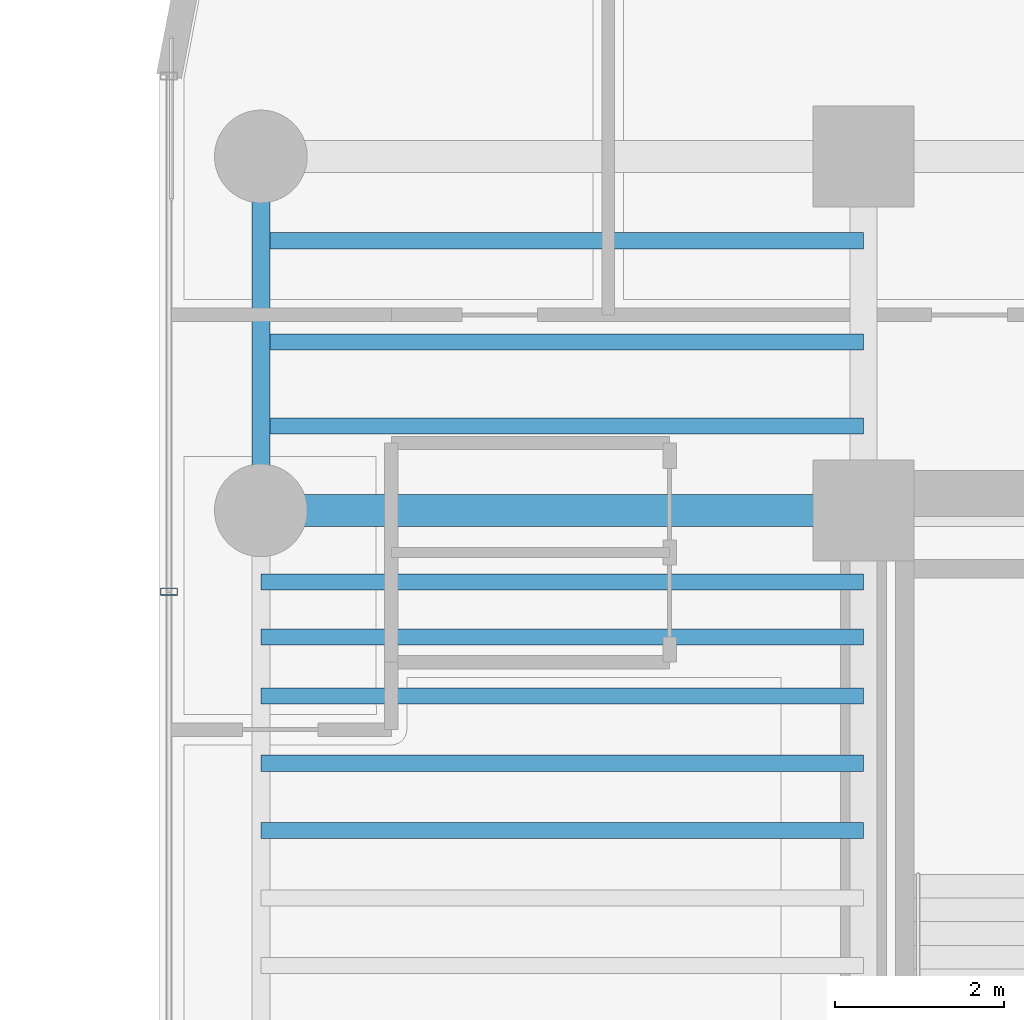
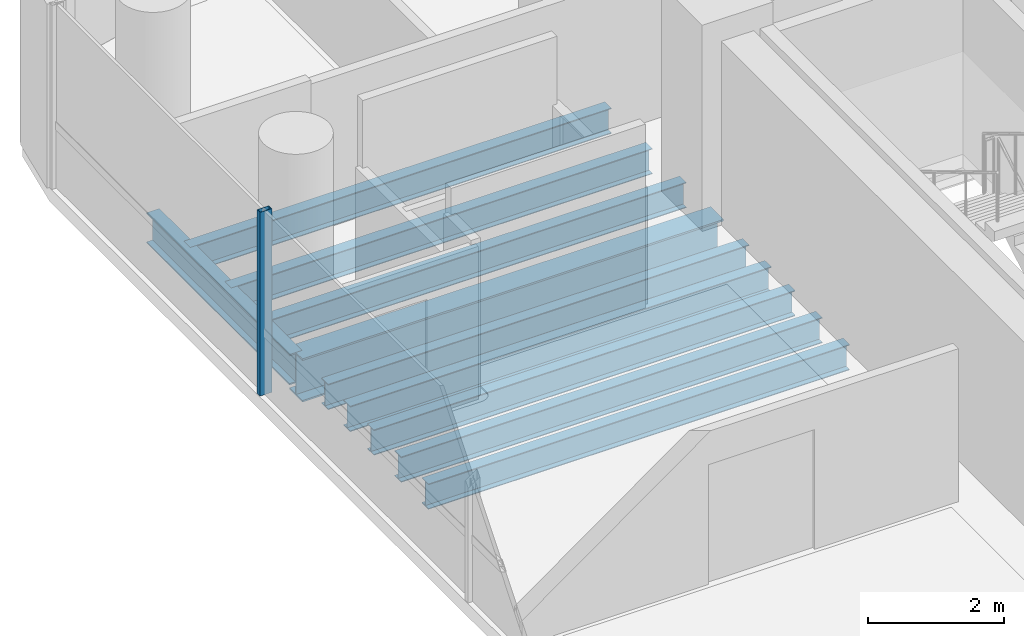
# One storey, part 10 of 35: 10 beams, 1 member, 1 element without a shape of its own.
"""IFC4 building model written with IfcOpenShell, lengths in metres."""

from ifc_helpers import new_model, si_unit, direction, frame, origin, origin_2d, place, context, subcontext, project, spatial, hollow_rectangle, i_section, extrude, source, transform, mapped, material, material_profile, profile_set, type_object, element, aggregate, save


model = new_model("IFC4")

# Units and contexts
model_context = context("Model", 3, precision=1e-05, world=origin(), true_north=direction((0.0, 1.0)))
body_context = subcontext(model_context, "Body", "Model", "MODEL_VIEW")
ifc_project = project(units=[si_unit("LENGTHUNIT", "METRE"), si_unit("AREAUNIT", "SQUARE_METRE"), si_unit("VOLUMEUNIT", "CUBIC_METRE"), si_unit("PLANEANGLEUNIT", "RADIAN"), si_unit("MASSUNIT", "GRAM", prefix="KILO")], contexts=[model_context])

# Site, building, storey
site_placement = place(None, origin())
site = spatial("IfcSite", under=ifc_project, at=site_placement, CompositionType="ELEMENT")
building_placement = place(site_placement, origin())
building = spatial("IfcBuilding", under=site, at=building_placement, Name="Valdorenza Pilgrim Sanctuary Tower", CompositionType="ELEMENT")
storey_placement = place(building_placement, frame((0.0, 0.0, 168.60009765625)))
storey = spatial("IfcBuildingStorey", under=building, at=storey_placement, Name="L43", CompositionType="ELEMENT", Elevation=168.60009765625)

# Beams
ifc_material_1 = material(Name="Steel ASTM A992 Grade 50", Category="steel")
ifc_material_profile_1 = material_profile(ifc_material_1, i_section(OverallWidth=0.214111328125, OverallDepth=0.549072265625, WebThickness=0.0146484375, FlangeThickness=0.023681640625, at=origin_2d()), Name="W21X93")
ifc_profile_set_1 = profile_set([ifc_material_profile_1], Name="Steel ASTM A992 Grade 50")
beam_type_1 = type_object("IfcBeamType", Name="STR-BM-SPN-W21A", PredefinedType="SPANDREL", material=ifc_profile_set_1)
shared_shape_1 = source(origin(), body_context, "Body", "SweptSolid", [
    extrude(i_section(OverallWidth=0.214111328125, OverallDepth=0.549072265625, WebThickness=0.0146484375, FlangeThickness=0.023681640625, at=origin_2d()), origin(), (0.0, 0.0, 1.0), 4.199951171875),
])
beam_1_placement = place(storey_placement, frame((-29.800048828125, 10.60009765625, -0.5146484375), z_axis=(0.0, 1.0, 0.0), x_axis=(-1.0, 0.0, 0.0)))
element("IfcBeam", 1, at=beam_1_placement, inside=storey, type_object=beam_type_1, Name="L43 Spandrel Beam WA-W-N1N2", PredefinedType="SPANDREL", context=body_context, shape_type="MappedRepresentation", body=[
    mapped(shared_shape_1, transform((0.0, 0.0, 0.0), x_axis=(1.0, 0.0, 0.0), y_axis=(0.0, 1.0, 0.0), z_axis=(0.0, 0.0, 1.0), scale=1.0)),
])
ifc_material_profile_2 = material_profile(ifc_material_1, i_section(OverallWidth=0.382080078125, OverallDepth=0.779052734375, WebThickness=0.01806640625, FlangeThickness=0.030029296875, at=origin_2d()), Name="W30X191")
ifc_profile_set_2 = profile_set([ifc_material_profile_2], Name="Steel ASTM A992 Grade 50")
beam_type_2 = type_object("IfcBeamType", Name="STR-BM-GRD-W30", PredefinedType="BEAM", material=ifc_profile_set_2)
shared_shape_2 = source(origin(), body_context, "Body", "SweptSolid", [
    extrude(i_section(OverallWidth=0.382080078125, OverallDepth=0.779052734375, WebThickness=0.01806640625, FlangeThickness=0.030029296875, at=origin_2d()), origin(), (0.0, 0.0, 1.0), 7.150146484375),
])
beam_2_placement = place(storey_placement, frame((-29.800048828125, 10.60009765625, -0.629638671875), z_axis=(1.0, 0.0, 0.0), x_axis=(0.0, 1.0, 0.0)))
element("IfcBeam", 2, at=beam_2_placement, inside=storey, type_object=beam_type_2, Name="L43 Floor Girder WA-XW-N1", PredefinedType="BEAM", context=body_context, shape_type="MappedRepresentation", body=[
    mapped(shared_shape_2, transform((0.0, 0.0, 0.0), x_axis=(1.0, 0.0, 0.0), y_axis=(0.0, 1.0, 0.0), z_axis=(0.0, 0.0, 1.0), scale=1.0)),
])
ifc_material_profile_3 = material_profile(ifc_material_1, i_section(OverallWidth=0.19091796875, OverallDepth=0.45703125, WebThickness=0.009033203125, FlangeThickness=0.014404296875, at=origin_2d()), Name="W18X50")
ifc_profile_set_3 = profile_set([ifc_material_profile_3], Name="Steel ASTM A992 Grade 50")
beam_type_3 = type_object("IfcBeamType", Name="STR-BM-JST-W18B", PredefinedType="JOIST", material=ifc_profile_set_3)
shared_shape_3 = source(origin(), body_context, "Body", "SweptSolid", [
    extrude(i_section(OverallWidth=0.19091796875, OverallDepth=0.45703125, WebThickness=0.009033203125, FlangeThickness=0.014404296875, at=origin_2d()), origin(), (0.0, 0.0, 1.0), 7.150146484375),
])
for number, where, z_axis, x_axis, name in (
    (3, (-29.800048828125, 6.800048828125, -0.468505859375), (1.0, 0.0, 0.0), (0.0, 1.0, 0.0), "L43 Composite Floor Joist JST-WA-19"),
    (4, (-29.800048828125, 7.60009765625, -0.468505859375), (1.0, 0.0, 0.0), (0.0, 1.0, 0.0), "L43 Composite Floor Joist JST-WA-20"),
    (5, (-29.800048828125, 8.39990234375, -0.468505859375), (1.0, 0.0, 0.0), (0.0, 1.0, 0.0), "L43 Composite Floor Joist JST-WA-21"),
    (6, (-29.800048828125, 9.10009765625, -0.468505859375), (1.0, 0.0, 0.0), (0.0, 1.0, 0.0), "L43 Composite Floor Joist JST-WA-22"),
    (7, (-29.800048828125, 9.75, -0.468505859375), (1.0, 0.0, 0.0), (0.0, 1.0, 0.0), "L43 Composite Floor Joist JST-WA-23"),
    (8, (-29.800048828125, 11.60009765625, -0.468505859375), (1.0, 0.0, 0.0), (0.0, 1.0, 0.0), "L43 Composite Floor Joist JST-WA-24"),
    (9, (-29.800048828125, 12.60009765625, -0.468505859375), (1.0, 0.0, 0.0), (0.0, 1.0, 0.0), "L43 Composite Floor Joist JST-WA-25"),
    (10, (-29.800048828125, 13.800048828125, -0.468505859375), (1.0, 0.0, 0.0), (0.0, 1.0, 0.0), "L43 Composite Floor Joist JST-WA-26"),
):
    element("IfcBeam", number, at=place(storey_placement, frame(where, z_axis=z_axis, x_axis=x_axis)), inside=storey, type_object=beam_type_3, Name=name, PredefinedType="JOIST", context=body_context, shape_type="MappedRepresentation", body=[
        mapped(shared_shape_3, transform((0.0, 0.0, 0.0), x_axis=(1.0, 0.0, 0.0), y_axis=(0.0, 1.0, 0.0), z_axis=(0.0, 0.0, 1.0), scale=1.0)),
    ])

# Curtain wall, member
ifc_material_2 = material(Name="Curtain-wall IGU glazing", Category="glass")
curtain_wall_type = type_object("IfcCurtainWallType", Name="CW-SYS-02", PredefinedType="NOTDEFINED", material=ifc_material_2)
curtain_wall_placement = place(storey_placement, origin())
curtain_wall = element("IfcCurtainWall", 11, at=curtain_wall_placement, inside=storey, type_object=curtain_wall_type, Name="L43 Curtain Wall CW-L43-1-1S2", PredefinedType="NOTDEFINED")
ifc_material_3 = material(Name="Anodised aluminium AW-6060", Category="aluminium")
ifc_material_profile_4 = material_profile(ifc_material_3, hollow_rectangle(XDim=0.0849609375, YDim=0.199951171875, WallThickness=0.0048828125, at=origin_2d()), Name="ALU-M 200x85x5")
ifc_profile_set_4 = profile_set([ifc_material_profile_4], Name="Anodised aluminium AW-6060")
member_type = type_object("IfcMemberType", Name="CW-MUL-02", PredefinedType="MULLION", material=ifc_profile_set_4)
shared_shape_4 = source(origin(), body_context, "Body", "SweptSolid", [
    extrude(hollow_rectangle(XDim=0.0849609375, YDim=0.199951171875, WallThickness=0.0048828125, at=origin_2d()), origin(), (0.0, 0.0, 1.0), 3.2998046875),
])
member_placement = place(storey_placement, frame((-30.889892578125, 9.635986328125, 0.0), z_axis=(0.0, 0.0, 1.0), x_axis=(0.0, 1.0, 0.0)))
member = element("IfcMember", 12, at=member_placement, type_object=member_type, Name="CW-L43-1-1S2 Mullion 3", PredefinedType="MULLION", context=body_context, shape_type="MappedRepresentation", body=[
    mapped(shared_shape_4, transform((0.0, 0.0, 0.0), x_axis=(1.0, 0.0, 0.0), y_axis=(0.0, 1.0, 0.0), z_axis=(0.0, 0.0, 1.0), scale=1.0)),
])
aggregate(curtain_wall, [member])

save(model, "model.ifc")
